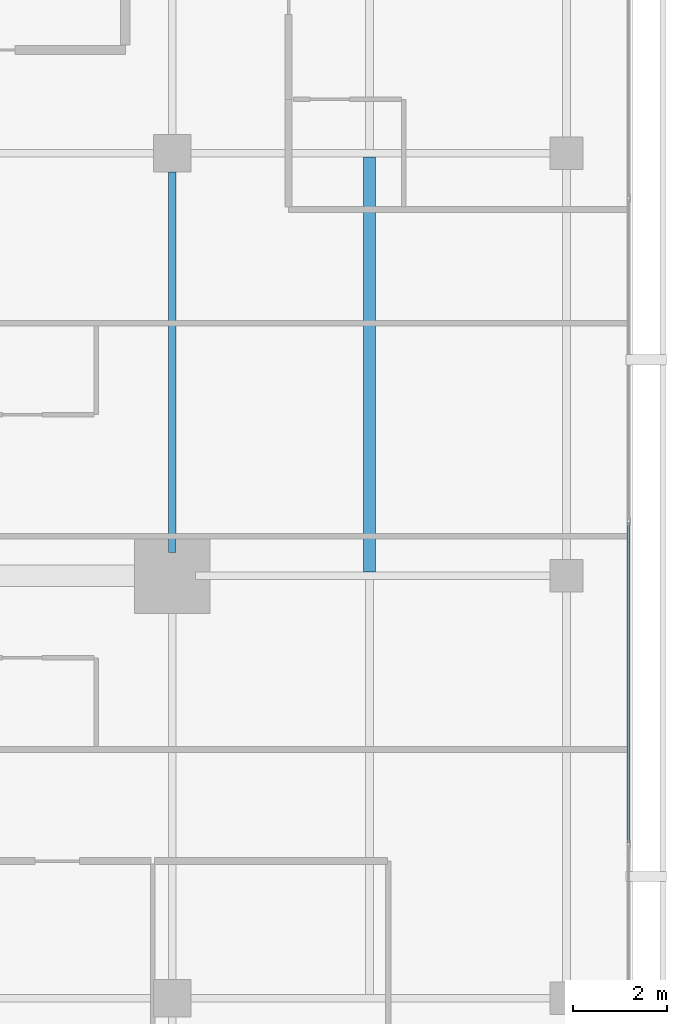
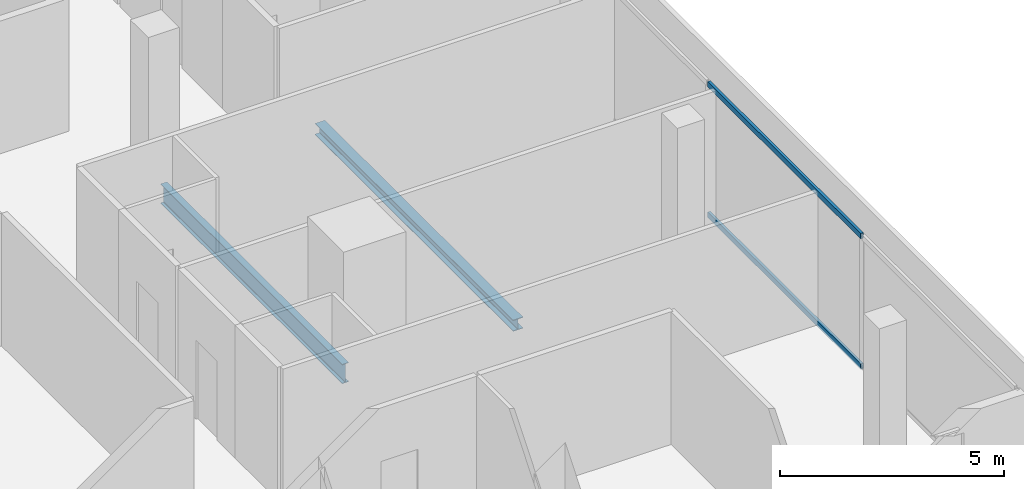
# One storey, part 13 of 25: 2 beams, 2 members, 1 element without a shape of its own.
"""IFC4 building model written with IfcOpenShell, lengths in metres."""

from ifc_helpers import new_model, si_unit, direction, frame, origin, origin_2d, place, context, subcontext, project, spatial, hollow_rectangle, i_section, extrude, material, layer, layer_set, material_profile, profile_set, type_object, element, aggregate, save


model = new_model("IFC4")

# Units and contexts
model_context = context("Model", 3, precision=1e-05, world=origin(), true_north=direction((0.0, 1.0)))
body_context = subcontext(model_context, "Body", "Model", "MODEL_VIEW")
ifc_project = project(units=[si_unit("LENGTHUNIT", "METRE"), si_unit("AREAUNIT", "SQUARE_METRE"), si_unit("VOLUMEUNIT", "CUBIC_METRE"), si_unit("PLANEANGLEUNIT", "RADIAN"), si_unit("MASSUNIT", "GRAM", prefix="KILO")], contexts=[model_context])

# Site, building, storey
site_placement = place(None, origin())
site = spatial("IfcSite", under=ifc_project, at=site_placement, CompositionType="ELEMENT")
building_placement = place(site_placement, origin())
building = spatial("IfcBuilding", under=site, at=building_placement, Name="Maruvema Waterfront Hotel and Observation Tower", CompositionType="ELEMENT")
storey_placement = place(building_placement, frame((0.0, 0.0, 304.85009765625)))
storey = spatial("IfcBuildingStorey", under=building, at=storey_placement, Name="L75", CompositionType="ELEMENT", Elevation=304.85009765625)

# Curtain wall, members
ifc_material_1 = material(Name="Anodised bronze aluminium and solar-control low-E IGU", Category="aluminium")
ifc_layer = layer(ifc_material_1, 0.159912109375, Name="Zone 3 Champagne Inner Thermal Curtain Wall System CW-04")
ifc_layer_set = layer_set([ifc_layer], Name="Anodised bronze aluminium and solar-control low-E IGU")
curtain_wall_type = type_object("IfcCurtainWallType", Name="Zone 3 Champagne Inner Thermal Curtain Wall System CW-04", PredefinedType="USERDEFINED", material=ifc_layer_set)
curtain_wall_placement = place(storey_placement, origin())
curtain_wall = element("IfcCurtainWall", 1, at=curtain_wall_placement, inside=storey, type_object=curtain_wall_type, Name="L75 Curtain Wall CW-L75-E", ObjectType="UNITISED CURTAIN WALL", PredefinedType="USERDEFINED")
ifc_material_2 = material(Name="Anodised architectural bronze aluminium", Category="aluminium")
ifc_material_profile_1 = material_profile(ifc_material_2, hollow_rectangle(XDim=0.070068359375, YDim=0.14990234375, WallThickness=0.00390625, at=origin_2d()), Name="ALU-T70x150")
ifc_profile_set_1 = profile_set([ifc_material_profile_1], Name="Anodised architectural bronze aluminium")
member_type = type_object("IfcMemberType", Name="Curtain Wall Horizontal Transom ALU-T70x150", PredefinedType="USERDEFINED", material=ifc_profile_set_1)
member_1_placement = place(storey_placement, frame((60.1201171875, 21.31005859375, 0.02978515625), z_axis=(0.0, 1.0, 0.0), x_axis=(-1.0, 0.0, 0.0)))
member_1 = element("IfcMember", 2, at=member_1_placement, type_object=member_type, Name="CW-04 transom 2.1", ObjectType="TRANSOM", PredefinedType="USERDEFINED", context=body_context, shape_type="SweptSolid", body=[
    extrude(hollow_rectangle(XDim=0.070068359375, YDim=0.14990234375, WallThickness=0.00390625, at=origin_2d()), origin(), (0.0, 0.0, 1.0), 6.81982421875),
])
member_2_placement = place(storey_placement, frame((60.1201171875, 21.31005859375, 3.579833984375), z_axis=(0.0, 1.0, 0.0), x_axis=(-1.0, 0.0, 0.0)))
member_2 = element("IfcMember", 3, at=member_2_placement, type_object=member_type, Name="CW-04 transom 2.2", ObjectType="TRANSOM", PredefinedType="USERDEFINED", context=body_context, shape_type="SweptSolid", body=[
    extrude(hollow_rectangle(XDim=0.070068359375, YDim=0.14990234375, WallThickness=0.00390625, at=origin_2d()), origin(), (0.0, 0.0, 1.0), 6.81982421875),
])
aggregate(curtain_wall, [member_1, member_2])

# Beams
ifc_material_3 = material(Name="Steel ASTM A572 Grade 50", Category="steel")
ifc_material_profile_2 = material_profile(ifc_material_3, i_section(OverallWidth=0.166015625, OverallDepth=0.529052734375, WebThickness=0.009765625, FlangeThickness=0.013671875, FilletRadius=0.014892578125, at=origin_2d()), Name="W530x74.0")
ifc_profile_set_2 = profile_set([ifc_material_profile_2], Name="Steel ASTM A572 Grade 50")
beam_type_1 = type_object("IfcBeamType", Name="Primary Floor Girder W530x74.0", PredefinedType="BEAM", material=ifc_profile_set_2)
beam_1_placement = place(storey_placement, frame((50.39990234375, 27.5, -0.504638671875), z_axis=(0.0, 1.0, 0.0), x_axis=(-1.0, 0.0, 0.0)))
element("IfcBeam", 4, at=beam_1_placement, inside=storey, type_object=beam_type_1, Name="L75 Floor Girder NS-14", PredefinedType="BEAM", context=body_context, shape_type="SweptSolid", body=[
    extrude(i_section(OverallWidth=0.166015625, OverallDepth=0.529052734375, WebThickness=0.009765625, FlangeThickness=0.013671875, FilletRadius=0.014892578125, at=origin_2d()), origin(), (0.0, 0.0, 1.0), 8.10009765625),
])
ifc_material_4 = material(Name="Steel ASTM A572 Grade 50", Category="steel")
ifc_material_profile_3 = material_profile(ifc_material_4, i_section(OverallWidth=0.25390625, OverallDepth=0.305908203125, WebThickness=0.0087890625, FlangeThickness=0.0146484375, FilletRadius=0.014892578125, at=origin_2d()), Name="W310x79.0")
ifc_profile_set_3 = profile_set([ifc_material_profile_3], Name="Steel ASTM A572 Grade 50")
beam_type_2 = type_object("IfcBeamType", Name="Secondary Floor Joist W310x79.0", PredefinedType="JOIST", material=ifc_profile_set_3)
beam_2_placement = place(storey_placement, frame((54.60009765625, 27.0830078125, -0.39306640625), z_axis=(0.0, 1.0, 0.0), x_axis=(-1.0, 0.0, 0.0)))
element("IfcBeam", 5, at=beam_2_placement, inside=storey, type_object=beam_type_2, Name="L75 Secondary Floor Joist JS-08", PredefinedType="JOIST", context=body_context, shape_type="SweptSolid", body=[
    extrude(i_section(OverallWidth=0.25390625, OverallDepth=0.305908203125, WebThickness=0.0087890625, FlangeThickness=0.0146484375, FilletRadius=0.014892578125, at=origin_2d()), origin(), (0.0, 0.0, 1.0), 8.833984375),
])

save(model, "model.ifc")
